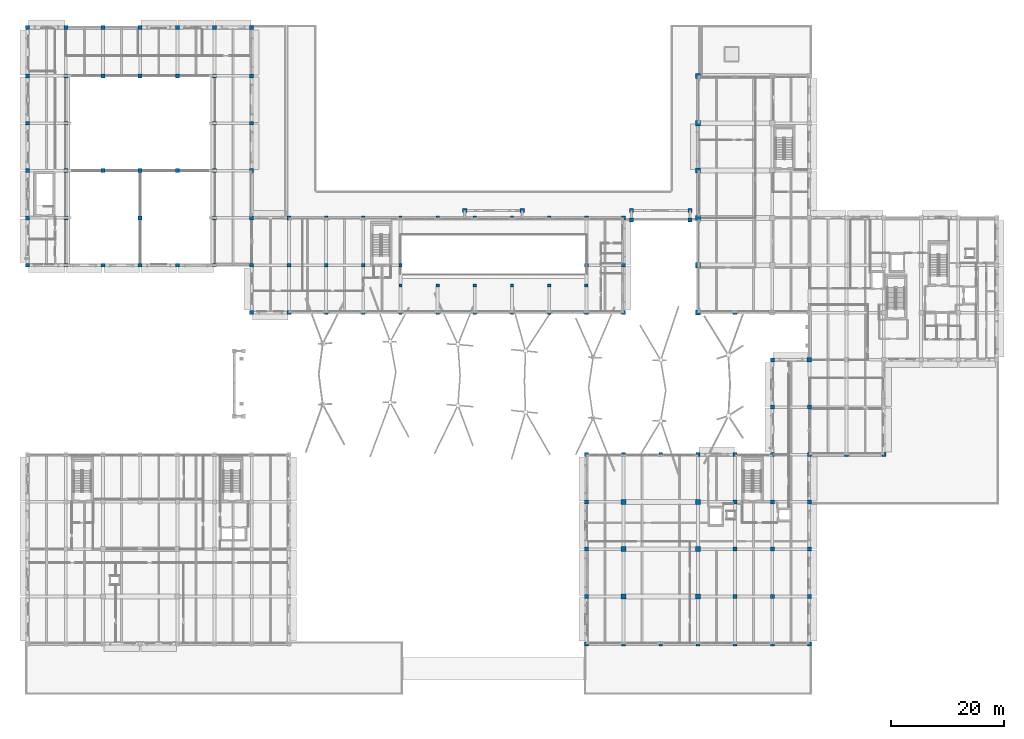
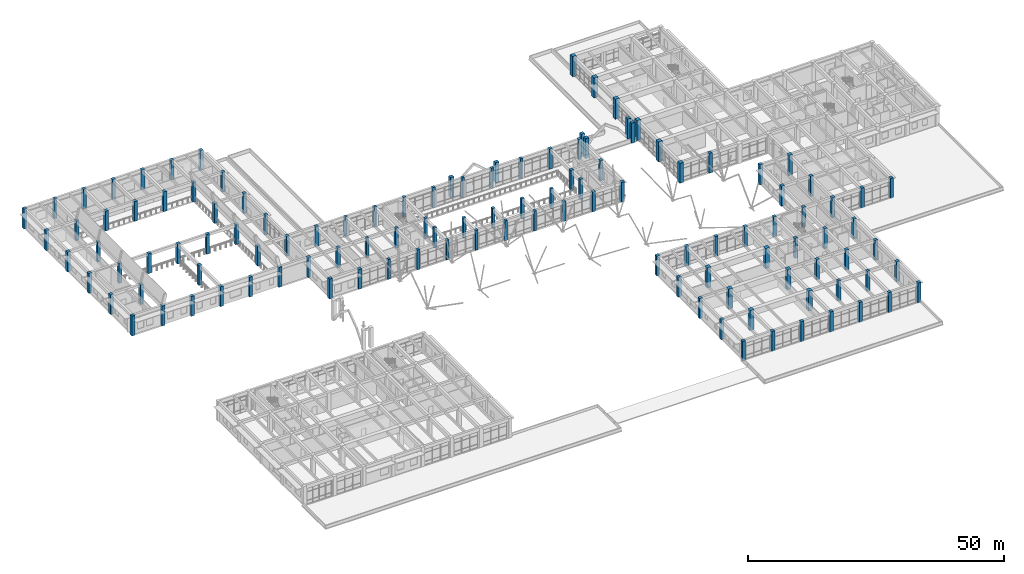
# One storey, part 3 of 75: 121 columns.
"""IFC4 building model written with IfcOpenShell, lengths in metres."""

from ifc_helpers import new_model, si_unit, direction, frame, origin, origin_2d, place, context, subcontext, project, spatial, rectangle, extrude, material, material_profile, profile_set, type_object, element, save


model = new_model("IFC4")

# Units and contexts
model_context = context("Model", 3, precision=1e-05, world=origin(), true_north=direction((0.0, 1.0)))
body_context = subcontext(model_context, "Body", "Model", "MODEL_VIEW")
ifc_project = project(units=[si_unit("LENGTHUNIT", "METRE"), si_unit("AREAUNIT", "SQUARE_METRE"), si_unit("VOLUMEUNIT", "CUBIC_METRE"), si_unit("PLANEANGLEUNIT", "RADIAN"), si_unit("MASSUNIT", "GRAM", prefix="KILO")], contexts=[model_context])

# Site, building, storey
site_placement = place(None, origin())
site = spatial("IfcSite", under=ifc_project, at=site_placement, CompositionType="ELEMENT")
building_placement = place(site_placement, origin())
building = spatial("IfcBuilding", under=site, at=building_placement, Name="Kolvaren Faculty of Natural Sciences", CompositionType="ELEMENT")
storey_placement = place(building_placement, frame((0.0, 0.0, 5.39990234375)))
storey = spatial("IfcBuildingStorey", under=building, at=storey_placement, Name="L01", CompositionType="ELEMENT", Elevation=5.39990234375)

# Columns
ifc_material_1 = material(Name="Concrete C35/45", Category="concrete")
ifc_material_profile_1 = material_profile(ifc_material_1, rectangle(XDim=0.60009765625, YDim=0.60009765625, at=origin_2d()), Name="RC COL 600x600")
ifc_profile_set_1 = profile_set([ifc_material_profile_1], Name="Concrete C35/45")
column_type_1 = type_object("IfcColumnType", Name="FrameColumn_600x600", PredefinedType="COLUMN", material=ifc_profile_set_1)
for number, where, z_axis, x_axis, name in (
    (1, (53.0, 67.39990234375, 0.0), (0.0, 0.0, 1.0), (1.0, 0.0, 0.0), "L01 column FC-60 at 9/J"),
    (2, (53.0, 75.800048828125, 0.0), (0.0, 0.0, 1.0), (1.0, 0.0, 0.0), "L01 column FC-60 at 9/K"),
    (3, (53.0, 84.199951171875, 0.0), (0.0, 0.0, 1.0), (1.0, 0.0, 0.0), "L01 column FC-60 at 9/L"),
    (4, (59.60009765625, 67.39990234375, 0.0), (0.0, 0.0, 1.0), (1.0, 0.0, 0.0), "L01 column FC-60 at 10/J"),
):
    element("IfcColumn", number, at=place(storey_placement, frame(where, z_axis=z_axis, x_axis=x_axis)), inside=storey, type_object=column_type_1, Name=name, PredefinedType="COLUMN", context=body_context, shape_type="SweptSolid", body=[
        extrude(rectangle(XDim=0.60009765625, YDim=0.60009765625, at=origin_2d()), origin(), (0.0, 0.0, 1.0), 4.739990234375),
    ])
for number, where, z_axis, x_axis, name in (
    (5, (59.60009765625, 75.800048828125, 0.0), (0.0, 0.0, 1.0), (1.0, 0.0, 0.0), "L01 column FC-60 at 10/K"),
    (6, (59.60009765625, 84.199951171875, 0.0), (0.0, 0.0, 1.0), (1.0, 0.0, 0.0), "L01 column FC-60 at 10/L"),
):
    element("IfcColumn", number, at=place(storey_placement, frame(where, z_axis=z_axis, x_axis=x_axis)), inside=storey, type_object=column_type_1, Name=name, PredefinedType="COLUMN", context=body_context, shape_type="SweptSolid", body=[
        extrude(rectangle(XDim=0.60009765625, YDim=0.60009765625, at=origin_2d()), origin(), (0.0, 0.0, 1.0), 4.800048828125),
    ])
column_1_placement = place(storey_placement, frame((66.199951171875, 67.39990234375, 0.0), z_axis=(0.0, 0.0, 1.0), x_axis=(1.0, 0.0, 0.0)))
element("IfcColumn", 7, at=column_1_placement, inside=storey, type_object=column_type_1, Name="L01 column FC-60 at 11/J", PredefinedType="COLUMN", context=body_context, shape_type="SweptSolid", body=[
    extrude(rectangle(XDim=0.60009765625, YDim=0.60009765625, at=origin_2d()), origin(), (0.0, 0.0, 1.0), 4.739990234375),
])
for number, where, z_axis, x_axis, name in (
    (8, (66.199951171875, 75.800048828125, 0.0), (0.0, 0.0, 1.0), (1.0, 0.0, 0.0), "L01 column FC-60 at 11/K"),
    (9, (66.199951171875, 84.199951171875, 0.0), (0.0, 0.0, 1.0), (1.0, 0.0, 0.0), "L01 column FC-60 at 11/L"),
):
    element("IfcColumn", number, at=place(storey_placement, frame(where, z_axis=z_axis, x_axis=x_axis)), inside=storey, type_object=column_type_1, Name=name, PredefinedType="COLUMN", context=body_context, shape_type="SweptSolid", body=[
        extrude(rectangle(XDim=0.60009765625, YDim=0.60009765625, at=origin_2d()), origin(), (0.0, 0.0, 1.0), 4.800048828125),
    ])
column_2_placement = place(storey_placement, frame((72.800048828125, 67.39990234375, 0.0), z_axis=(0.0, 0.0, 1.0), x_axis=(1.0, 0.0, 0.0)))
element("IfcColumn", 10, at=column_2_placement, inside=storey, type_object=column_type_1, Name="L01 column FC-60 at 12/J", PredefinedType="COLUMN", context=body_context, shape_type="SweptSolid", body=[
    extrude(rectangle(XDim=0.60009765625, YDim=0.60009765625, at=origin_2d()), origin(), (0.0, 0.0, 1.0), 4.739990234375),
])
column_3_placement = place(storey_placement, frame((72.800048828125, 84.199951171875, 0.0), z_axis=(0.0, 0.0, 1.0), x_axis=(1.0, 0.0, 0.0)))
element("IfcColumn", 11, at=column_3_placement, inside=storey, type_object=column_type_1, Name="L01 column FC-60 at 12/L", PredefinedType="COLUMN", context=body_context, shape_type="SweptSolid", body=[
    extrude(rectangle(XDim=0.60009765625, YDim=0.60009765625, at=origin_2d()), origin(), (0.0, 0.0, 1.0), 4.800048828125),
])
column_4_placement = place(storey_placement, frame((79.39990234375, 67.39990234375, 0.0), z_axis=(0.0, 0.0, 1.0), x_axis=(1.0, 0.0, 0.0)))
element("IfcColumn", 12, at=column_4_placement, inside=storey, type_object=column_type_1, Name="L01 column FC-60 at 13/J", PredefinedType="COLUMN", context=body_context, shape_type="SweptSolid", body=[
    extrude(rectangle(XDim=0.60009765625, YDim=0.60009765625, at=origin_2d()), origin(), (0.0, 0.0, 1.0), 4.739990234375),
])
column_5_placement = place(storey_placement, frame((79.39990234375, 84.199951171875, 0.0), z_axis=(0.0, 0.0, 1.0), x_axis=(1.0, 0.0, 0.0)))
element("IfcColumn", 13, at=column_5_placement, inside=storey, type_object=column_type_1, Name="L01 column FC-60 at 13/L", PredefinedType="COLUMN", context=body_context, shape_type="SweptSolid", body=[
    extrude(rectangle(XDim=0.60009765625, YDim=0.60009765625, at=origin_2d()), origin(), (0.0, 0.0, 1.0), 4.800048828125),
])
column_6_placement = place(storey_placement, frame((86.0, 67.39990234375, 0.0), z_axis=(0.0, 0.0, 1.0), x_axis=(1.0, 0.0, 0.0)))
element("IfcColumn", 14, at=column_6_placement, inside=storey, type_object=column_type_1, Name="L01 column FC-60 at 14/J", PredefinedType="COLUMN", context=body_context, shape_type="SweptSolid", body=[
    extrude(rectangle(XDim=0.60009765625, YDim=0.60009765625, at=origin_2d()), origin(), (0.0, 0.0, 1.0), 4.739990234375),
])
column_7_placement = place(storey_placement, frame((86.0, 84.199951171875, 0.0), z_axis=(0.0, 0.0, 1.0), x_axis=(1.0, 0.0, 0.0)))
element("IfcColumn", 15, at=column_7_placement, inside=storey, type_object=column_type_1, Name="L01 column FC-60 at 14/L", PredefinedType="COLUMN", context=body_context, shape_type="SweptSolid", body=[
    extrude(rectangle(XDim=0.60009765625, YDim=0.60009765625, at=origin_2d()), origin(), (0.0, 0.0, 1.0), 4.800048828125),
])
column_8_placement = place(storey_placement, frame((92.60009765625, 67.39990234375, 0.0), z_axis=(0.0, 0.0, 1.0), x_axis=(1.0, 0.0, 0.0)))
element("IfcColumn", 16, at=column_8_placement, inside=storey, type_object=column_type_1, Name="L01 column FC-60 at 15/J", PredefinedType="COLUMN", context=body_context, shape_type="SweptSolid", body=[
    extrude(rectangle(XDim=0.60009765625, YDim=0.60009765625, at=origin_2d()), origin(), (0.0, 0.0, 1.0), 4.739990234375),
])
for number, where, z_axis, x_axis, name in (
    (17, (92.60009765625, 84.199951171875, 0.0), (0.0, 0.0, 1.0), (1.0, 0.0, 0.0), "L01 column FC-60 at 15/L"),
    (18, (66.199951171875, 72.199951171875, 0.0), (0.0, 0.0, 1.0), (1.0, 0.0, 0.0), "L01 atrium vault springing column FC-60 at X=66.2"),
    (19, (72.800048828125, 72.199951171875, 0.0), (0.0, 0.0, 1.0), (1.0, 0.0, 0.0), "L01 atrium vault springing column FC-60 at X=72.8"),
    (20, (79.39990234375, 72.199951171875, 0.0), (0.0, 0.0, 1.0), (1.0, 0.0, 0.0), "L01 atrium vault springing column FC-60 at X=79.4"),
    (21, (86.0, 72.199951171875, 0.0), (0.0, 0.0, 1.0), (1.0, 0.0, 0.0), "L01 atrium vault springing column FC-60 at X=86.0"),
    (22, (92.60009765625, 72.199951171875, 0.0), (0.0, 0.0, 1.0), (1.0, 0.0, 0.0), "L01 atrium vault springing column FC-60 at X=92.6"),
    (23, (99.199951171875, 72.199951171875, 0.0), (0.0, 0.0, 1.0), (1.0, 0.0, 0.0), "L01 atrium vault springing column FC-60 at X=99.2"),
):
    element("IfcColumn", number, at=place(storey_placement, frame(where, z_axis=z_axis, x_axis=x_axis)), inside=storey, type_object=column_type_1, Name=name, PredefinedType="COLUMN", context=body_context, shape_type="SweptSolid", body=[
        extrude(rectangle(XDim=0.60009765625, YDim=0.60009765625, at=origin_2d()), origin(), (0.0, 0.0, 1.0), 4.800048828125),
    ])
ifc_material_2 = material(Name="Concrete C40/50", Category="concrete")
ifc_material_profile_2 = material_profile(ifc_material_2, rectangle(XDim=0.89990234375, YDim=0.89990234375, at=origin_2d()), Name="RC COL 900x900")
ifc_profile_set_2 = profile_set([ifc_material_profile_2], Name="Concrete C40/50")
column_type_2 = type_object("IfcColumnType", Name="MegaColumn_900x900", PredefinedType="COLUMN", material=ifc_profile_set_2)
for number, where, z_axis, x_axis, name in (
    (24, (105.800048828125, 17.0, 0.0), (0.0, 0.0, 1.0), (1.0, 0.0, 0.0), "L01 column MC-1 at 17/C"),
    (25, (105.800048828125, 25.39990234375, 0.0), (0.0, 0.0, 1.0), (1.0, 0.0, 0.0), "L01 column MC-1 at 17/D"),
    (26, (105.800048828125, 33.800048828125, 0.0), (0.0, 0.0, 1.0), (1.0, 0.0, 0.0), "L01 column MC-1 at 17/E"),
    (27, (119.0, 17.0, 0.0), (0.0, 0.0, 1.0), (1.0, 0.0, 0.0), "L01 column MC-1 at 19/C"),
    (28, (119.0, 25.39990234375, 0.0), (0.0, 0.0, 1.0), (1.0, 0.0, 0.0), "L01 column MC-1 at 19/D"),
    (29, (119.0, 33.800048828125, 0.0), (0.0, 0.0, 1.0), (1.0, 0.0, 0.0), "L01 column MC-1 at 19/E"),
):
    element("IfcColumn", number, at=place(storey_placement, frame(where, z_axis=z_axis, x_axis=x_axis)), inside=storey, type_object=column_type_2, Name=name, PredefinedType="COLUMN", context=body_context, shape_type="SweptSolid", body=[
        extrude(rectangle(XDim=0.89990234375, YDim=0.89990234375, at=origin_2d()), origin(), (0.0, 0.0, 1.0), 4.800048828125),
    ])
column_9_placement = place(storey_placement, frame((119.0, 67.39990234375, 0.0), z_axis=(0.0, 0.0, 1.0), x_axis=(1.0, 0.0, 0.0)))
element("IfcColumn", 30, at=column_9_placement, inside=storey, type_object=column_type_2, Name="L01 column MC-1 at 19/J", PredefinedType="COLUMN", context=body_context, shape_type="SweptSolid", body=[
    extrude(rectangle(XDim=0.89990234375, YDim=0.89990234375, at=origin_2d()), origin(), (0.0, 0.0, 1.0), 4.739990234375),
])
for number, where, z_axis, x_axis, name in (
    (31, (119.0, 75.800048828125, 0.0), (0.0, 0.0, 1.0), (1.0, 0.0, 0.0), "L01 column MC-1 at 19/K"),
    (32, (119.0, 84.199951171875, 0.0), (0.0, 0.0, 1.0), (1.0, 0.0, 0.0), "L01 column MC-1 at 19/L"),
    (33, (119.0, 92.60009765625, 0.0), (0.0, 0.0, 1.0), (1.0, 0.0, 0.0), "L01 column MC-1 at 19/M"),
    (34, (119.0, 101.0, 0.0), (0.0, 0.0, 1.0), (1.0, 0.0, 0.0), "L01 column MC-1 at 19/N"),
    (35, (119.0, 109.39990234375, 0.0), (0.0, 0.0, 1.0), (1.0, 0.0, 0.0), "L01 column MC-1 at 19/P"),
):
    element("IfcColumn", number, at=place(storey_placement, frame(where, z_axis=z_axis, x_axis=x_axis)), inside=storey, type_object=column_type_2, Name=name, PredefinedType="COLUMN", context=body_context, shape_type="SweptSolid", body=[
        extrude(rectangle(XDim=0.89990234375, YDim=0.89990234375, at=origin_2d()), origin(), (0.0, 0.0, 1.0), 4.800048828125),
    ])
ifc_material_profile_3 = material_profile(ifc_material_2, rectangle(XDim=0.75, YDim=0.75, at=origin_2d()), Name="RC COL 750x750")
ifc_profile_set_3 = profile_set([ifc_material_profile_3], Name="Concrete C40/50")
column_type_3 = type_object("IfcColumnType", Name="TowerColumn_750x750", PredefinedType="COLUMN", material=ifc_profile_set_3)
for number, where, z_axis, x_axis, name in (
    (36, (77.60009765625, 85.5, 0.0), (0.0, 0.0, 1.0), (1.0, 0.0, 0.0), "North Civic Square Grand Atrium Pishtaq Portal monumental pier L (L01)"),
    (37, (87.800048828125, 85.5, 0.0), (0.0, 0.0, 1.0), (1.0, 0.0, 0.0), "North Civic Square Grand Atrium Pishtaq Portal monumental pier R (L01)"),
    (38, (107.199951171875, 85.5, 0.0), (0.0, 0.0, 1.0), (1.0, 0.0, 0.0), "North-East Square-to-Street Breezeway Pishtaq Portal monumental pier L (L01)"),
    (39, (117.60009765625, 85.5, 0.0), (0.0, 0.0, 1.0), (1.0, 0.0, 0.0), "North-East Square-to-Street Breezeway Pishtaq Portal monumental pier R (L01)"),
    (40, (107.199951171875, 83.85009765625, 0.0), (0.0, 0.0, 1.0), (1.0, 0.0, 0.0), "North-East Square-to-Street Breezeway Pishtaq Portal monumental pier LB (L01)"),
    (41, (117.60009765625, 83.85009765625, 0.0), (0.0, 0.0, 1.0), (1.0, 0.0, 0.0), "North-East Square-to-Street Breezeway Pishtaq Portal monumental pier RB (L01)"),
):
    element("IfcColumn", number, at=place(storey_placement, frame(where, z_axis=z_axis, x_axis=x_axis)), inside=storey, type_object=column_type_3, Name=name, PredefinedType="COLUMN", context=body_context, shape_type="SweptSolid", body=[
        extrude(rectangle(XDim=0.75, YDim=0.75, at=origin_2d()), origin(), (0.0, 0.0, 1.0), 4.800048828125),
    ])
ifc_material_profile_4 = material_profile(ifc_material_2, rectangle(XDim=0.800048828125, YDim=0.800048828125, at=origin_2d()), Name="RC COL 800x800")
ifc_profile_set_4 = profile_set([ifc_material_profile_4], Name="Concrete C40/50")
column_type_4 = type_object("IfcColumnType", Name="TowerColumn_800x800", PredefinedType="COLUMN", material=ifc_profile_set_4)
column_10_placement = place(storey_placement, frame((138.800048828125, 59.0, 0.0), z_axis=(0.0, 0.0, 1.0), x_axis=(1.0, 0.0, 0.0)))
element("IfcColumn", 42, at=column_10_placement, inside=storey, type_object=column_type_4, Name="L01 column TC-80 at 22/H", PredefinedType="COLUMN", context=body_context, shape_type="SweptSolid", body=[
    extrude(rectangle(XDim=0.800048828125, YDim=0.800048828125, at=origin_2d()), origin(), (0.0, 0.0, 1.0), 4.800048828125),
])
ifc_material_profile_5 = material_profile(ifc_material_2, rectangle(XDim=0.699951171875, YDim=0.699951171875, at=origin_2d()), Name="RC COL 700x700")
ifc_profile_set_5 = profile_set([ifc_material_profile_5], Name="Concrete C40/50")
column_type_5 = type_object("IfcColumnType", Name="WingColumn_700x700", PredefinedType="COLUMN", material=ifc_profile_set_5)
for number, where, z_axis, x_axis, name in (
    (43, (0.0, 75.800048828125, 0.0), (0.0, 0.0, 1.0), (1.0, 0.0, 0.0), "L01 column WC-70 at 1/K"),
    (44, (0.0, 84.199951171875, 0.0), (0.0, 0.0, 1.0), (1.0, 0.0, 0.0), "L01 column WC-70 at 1/L"),
    (45, (0.0, 92.60009765625, 0.0), (0.0, 0.0, 1.0), (1.0, 0.0, 0.0), "L01 column WC-70 at 1/M"),
    (46, (0.0, 101.0, 0.0), (0.0, 0.0, 1.0), (1.0, 0.0, 0.0), "L01 column WC-70 at 1/N"),
    (47, (0.0, 109.39990234375, 0.0), (0.0, 0.0, 1.0), (1.0, 0.0, 0.0), "L01 column WC-70 at 1/P"),
    (48, (0.0, 118.0, 0.0), (0.0, 0.0, 1.0), (1.0, 0.0, 0.0), "L01 column WC-70 at 1/Q"),
    (49, (6.800048828125, 75.800048828125, 0.0), (0.0, 0.0, 1.0), (1.0, 0.0, 0.0), "L01 column WC-70 at 2/K"),
    (50, (6.800048828125, 84.199951171875, 0.0), (0.0, 0.0, 1.0), (1.0, 0.0, 0.0), "L01 column WC-70 at 2/L"),
    (51, (6.800048828125, 92.60009765625, 0.0), (0.0, 0.0, 1.0), (1.0, 0.0, 0.0), "L01 column WC-70 at 2/M"),
    (52, (6.800048828125, 101.0, 0.0), (0.0, 0.0, 1.0), (1.0, 0.0, 0.0), "L01 column WC-70 at 2/N"),
    (53, (6.800048828125, 109.39990234375, 0.0), (0.0, 0.0, 1.0), (1.0, 0.0, 0.0), "L01 column WC-70 at 2/P"),
    (54, (6.800048828125, 118.0, 0.0), (0.0, 0.0, 1.0), (1.0, 0.0, 0.0), "L01 column WC-70 at 2/Q"),
    (55, (13.39990234375, 75.800048828125, 0.0), (0.0, 0.0, 1.0), (1.0, 0.0, 0.0), "L01 column WC-70 at 3/K"),
    (56, (13.39990234375, 92.60009765625, 0.0), (0.0, 0.0, 1.0), (1.0, 0.0, 0.0), "L01 column WC-70 at 3/M"),
    (57, (13.39990234375, 109.39990234375, 0.0), (0.0, 0.0, 1.0), (1.0, 0.0, 0.0), "L01 column WC-70 at 3/P"),
    (58, (13.39990234375, 118.0, 0.0), (0.0, 0.0, 1.0), (1.0, 0.0, 0.0), "L01 column WC-70 at 3/Q"),
    (59, (20.0, 75.800048828125, 0.0), (0.0, 0.0, 1.0), (1.0, 0.0, 0.0), "L01 column WC-70 at 4/K"),
    (60, (20.0, 84.199951171875, 0.0), (0.0, 0.0, 1.0), (1.0, 0.0, 0.0), "L01 column WC-70 at 4/L"),
    (61, (20.0, 92.60009765625, 0.0), (0.0, 0.0, 1.0), (1.0, 0.0, 0.0), "L01 column WC-70 at 4/M"),
    (62, (20.0, 109.39990234375, 0.0), (0.0, 0.0, 1.0), (1.0, 0.0, 0.0), "L01 column WC-70 at 4/P"),
    (63, (20.0, 118.0, 0.0), (0.0, 0.0, 1.0), (1.0, 0.0, 0.0), "L01 column WC-70 at 4/Q"),
    (64, (26.60009765625, 75.800048828125, 0.0), (0.0, 0.0, 1.0), (1.0, 0.0, 0.0), "L01 column WC-70 at 5/K"),
    (65, (26.60009765625, 92.60009765625, 0.0), (0.0, 0.0, 1.0), (1.0, 0.0, 0.0), "L01 column WC-70 at 5/M"),
    (66, (26.60009765625, 109.39990234375, 0.0), (0.0, 0.0, 1.0), (1.0, 0.0, 0.0), "L01 column WC-70 at 5/P"),
    (67, (26.60009765625, 118.0, 0.0), (0.0, 0.0, 1.0), (1.0, 0.0, 0.0), "L01 column WC-70 at 5/Q"),
    (68, (33.199951171875, 75.800048828125, 0.0), (0.0, 0.0, 1.0), (1.0, 0.0, 0.0), "L01 column WC-70 at 6/K"),
    (69, (33.199951171875, 84.199951171875, 0.0), (0.0, 0.0, 1.0), (1.0, 0.0, 0.0), "L01 column WC-70 at 6/L"),
    (70, (33.199951171875, 92.60009765625, 0.0), (0.0, 0.0, 1.0), (1.0, 0.0, 0.0), "L01 column WC-70 at 6/M"),
    (71, (33.199951171875, 101.0, 0.0), (0.0, 0.0, 1.0), (1.0, 0.0, 0.0), "L01 column WC-70 at 6/N"),
    (72, (33.199951171875, 109.39990234375, 0.0), (0.0, 0.0, 1.0), (1.0, 0.0, 0.0), "L01 column WC-70 at 6/P"),
    (73, (33.199951171875, 118.0, 0.0), (0.0, 0.0, 1.0), (1.0, 0.0, 0.0), "L01 column WC-70 at 6/Q"),
    (74, (39.800048828125, 67.39990234375, 0.0), (0.0, 0.0, 1.0), (1.0, 0.0, 0.0), "L01 column WC-70 at 7/J"),
    (75, (39.800048828125, 75.800048828125, 0.0), (0.0, 0.0, 1.0), (1.0, 0.0, 0.0), "L01 column WC-70 at 7/K"),
    (76, (39.800048828125, 84.199951171875, 0.0), (0.0, 0.0, 1.0), (1.0, 0.0, 0.0), "L01 column WC-70 at 7/L"),
    (77, (39.800048828125, 92.60009765625, 0.0), (0.0, 0.0, 1.0), (1.0, 0.0, 0.0), "L01 column WC-70 at 7/M"),
    (78, (39.800048828125, 101.0, 0.0), (0.0, 0.0, 1.0), (1.0, 0.0, 0.0), "L01 column WC-70 at 7/N"),
    (79, (39.800048828125, 109.39990234375, 0.0), (0.0, 0.0, 1.0), (1.0, 0.0, 0.0), "L01 column WC-70 at 7/P"),
    (80, (39.800048828125, 118.0, 0.0), (0.0, 0.0, 1.0), (1.0, 0.0, 0.0), "L01 column WC-70 at 7/Q"),
    (81, (46.39990234375, 67.39990234375, 0.0), (0.0, 0.0, 1.0), (1.0, 0.0, 0.0), "L01 column WC-70 at 8/J"),
    (82, (46.39990234375, 75.800048828125, 0.0), (0.0, 0.0, 1.0), (1.0, 0.0, 0.0), "L01 column WC-70 at 8/K"),
    (83, (46.39990234375, 84.199951171875, 0.0), (0.0, 0.0, 1.0), (1.0, 0.0, 0.0), "L01 column WC-70 at 8/L"),
    (84, (99.199951171875, 8.60009765625, 0.0), (0.0, 0.0, 1.0), (1.0, 0.0, 0.0), "L01 column WC-70 at 16/B"),
    (85, (99.199951171875, 17.0, 0.0), (0.0, 0.0, 1.0), (1.0, 0.0, 0.0), "L01 column WC-70 at 16/C"),
    (86, (99.199951171875, 25.39990234375, 0.0), (0.0, 0.0, 1.0), (1.0, 0.0, 0.0), "L01 column WC-70 at 16/D"),
    (87, (99.199951171875, 33.800048828125, 0.0), (0.0, 0.0, 1.0), (1.0, 0.0, 0.0), "L01 column WC-70 at 16/E"),
    (88, (99.199951171875, 42.199951171875, 0.0), (0.0, 0.0, 1.0), (1.0, 0.0, 0.0), "L01 column WC-70 at 16/F"),
    (89, (99.199951171875, 67.39990234375, 0.0), (0.0, 0.0, 1.0), (1.0, 0.0, 0.0), "L01 column WC-70 at 16/J"),
):
    element("IfcColumn", number, at=place(storey_placement, frame(where, z_axis=z_axis, x_axis=x_axis)), inside=storey, type_object=column_type_5, Name=name, PredefinedType="COLUMN", context=body_context, shape_type="SweptSolid", body=[
        extrude(rectangle(XDim=0.699951171875, YDim=0.699951171875, at=origin_2d()), origin(), (0.0, 0.0, 1.0), 4.739990234375),
    ])
for number, where, z_axis, x_axis, name in (
    (90, (99.199951171875, 75.800048828125, 0.0), (0.0, 0.0, 1.0), (1.0, 0.0, 0.0), "L01 column WC-70 at 16/K"),
    (91, (99.199951171875, 84.199951171875, 0.0), (0.0, 0.0, 1.0), (1.0, 0.0, 0.0), "L01 column WC-70 at 16/L"),
    (92, (105.800048828125, 8.60009765625, 0.0), (0.0, 0.0, 1.0), (1.0, 0.0, 0.0), "L01 column WC-70 at 17/B"),
):
    element("IfcColumn", number, at=place(storey_placement, frame(where, z_axis=z_axis, x_axis=x_axis)), inside=storey, type_object=column_type_5, Name=name, PredefinedType="COLUMN", context=body_context, shape_type="SweptSolid", body=[
        extrude(rectangle(XDim=0.699951171875, YDim=0.699951171875, at=origin_2d()), origin(), (0.0, 0.0, 1.0), 4.800048828125),
    ])
for number, where, z_axis, x_axis, name in (
    (93, (105.800048828125, 42.199951171875, 0.0), (0.0, 0.0, 1.0), (1.0, 0.0, 0.0), "L01 column WC-70 at 17/F"),
    (94, (105.800048828125, 67.39990234375, 0.0), (0.0, 0.0, 1.0), (1.0, 0.0, 0.0), "L01 column WC-70 at 17/J"),
):
    element("IfcColumn", number, at=place(storey_placement, frame(where, z_axis=z_axis, x_axis=x_axis)), inside=storey, type_object=column_type_5, Name=name, PredefinedType="COLUMN", context=body_context, shape_type="SweptSolid", body=[
        extrude(rectangle(XDim=0.699951171875, YDim=0.699951171875, at=origin_2d()), origin(), (0.0, 0.0, 1.0), 4.739990234375),
    ])
for number, where, z_axis, x_axis, name in (
    (95, (105.800048828125, 75.800048828125, 0.0), (0.0, 0.0, 1.0), (1.0, 0.0, 0.0), "L01 column WC-70 at 17/K"),
    (96, (105.800048828125, 84.199951171875, 0.0), (0.0, 0.0, 1.0), (1.0, 0.0, 0.0), "L01 column WC-70 at 17/L"),
    (97, (112.39990234375, 8.60009765625, 0.0), (0.0, 0.0, 1.0), (1.0, 0.0, 0.0), "L01 column WC-70 at 18/B"),
):
    element("IfcColumn", number, at=place(storey_placement, frame(where, z_axis=z_axis, x_axis=x_axis)), inside=storey, type_object=column_type_5, Name=name, PredefinedType="COLUMN", context=body_context, shape_type="SweptSolid", body=[
        extrude(rectangle(XDim=0.699951171875, YDim=0.699951171875, at=origin_2d()), origin(), (0.0, 0.0, 1.0), 4.800048828125),
    ])
column_11_placement = place(storey_placement, frame((112.39990234375, 42.199951171875, 0.0), z_axis=(0.0, 0.0, 1.0), x_axis=(1.0, 0.0, 0.0)))
element("IfcColumn", 98, at=column_11_placement, inside=storey, type_object=column_type_5, Name="L01 column WC-70 at 18/F", PredefinedType="COLUMN", context=body_context, shape_type="SweptSolid", body=[
    extrude(rectangle(XDim=0.699951171875, YDim=0.699951171875, at=origin_2d()), origin(), (0.0, 0.0, 1.0), 4.739990234375),
])
column_12_placement = place(storey_placement, frame((119.0, 8.60009765625, 0.0), z_axis=(0.0, 0.0, 1.0), x_axis=(1.0, 0.0, 0.0)))
element("IfcColumn", 99, at=column_12_placement, inside=storey, type_object=column_type_5, Name="L01 column WC-70 at 19/B", PredefinedType="COLUMN", context=body_context, shape_type="SweptSolid", body=[
    extrude(rectangle(XDim=0.699951171875, YDim=0.699951171875, at=origin_2d()), origin(), (0.0, 0.0, 1.0), 4.800048828125),
])
column_13_placement = place(storey_placement, frame((119.0, 42.199951171875, 0.0), z_axis=(0.0, 0.0, 1.0), x_axis=(1.0, 0.0, 0.0)))
element("IfcColumn", 100, at=column_13_placement, inside=storey, type_object=column_type_5, Name="L01 column WC-70 at 19/F", PredefinedType="COLUMN", context=body_context, shape_type="SweptSolid", body=[
    extrude(rectangle(XDim=0.699951171875, YDim=0.699951171875, at=origin_2d()), origin(), (0.0, 0.0, 1.0), 4.739990234375),
])
for number, where, z_axis, x_axis, name in (
    (101, (125.60009765625, 8.60009765625, 0.0), (0.0, 0.0, 1.0), (1.0, 0.0, 0.0), "L01 column WC-70 at 20/B"),
    (102, (125.60009765625, 17.0, 0.0), (0.0, 0.0, 1.0), (1.0, 0.0, 0.0), "L01 column WC-70 at 20/C"),
    (103, (125.60009765625, 25.39990234375, 0.0), (0.0, 0.0, 1.0), (1.0, 0.0, 0.0), "L01 column WC-70 at 20/D"),
    (104, (125.60009765625, 33.800048828125, 0.0), (0.0, 0.0, 1.0), (1.0, 0.0, 0.0), "L01 column WC-70 at 20/E"),
    (105, (125.60009765625, 42.199951171875, 0.0), (0.0, 0.0, 1.0), (1.0, 0.0, 0.0), "L01 column WC-70 at 20/F"),
):
    element("IfcColumn", number, at=place(storey_placement, frame(where, z_axis=z_axis, x_axis=x_axis)), inside=storey, type_object=column_type_5, Name=name, PredefinedType="COLUMN", context=body_context, shape_type="SweptSolid", body=[
        extrude(rectangle(XDim=0.699951171875, YDim=0.699951171875, at=origin_2d()), origin(), (0.0, 0.0, 1.0), 4.800048828125),
    ])
column_14_placement = place(storey_placement, frame((125.60009765625, 67.39990234375, 0.0), z_axis=(0.0, 0.0, 1.0), x_axis=(1.0, 0.0, 0.0)))
element("IfcColumn", 106, at=column_14_placement, inside=storey, type_object=column_type_5, Name="L01 column WC-70 at 20/J", PredefinedType="COLUMN", context=body_context, shape_type="SweptSolid", body=[
    extrude(rectangle(XDim=0.699951171875, YDim=0.699951171875, at=origin_2d()), origin(), (0.0, 0.0, 1.0), 4.739990234375),
])
for number, where, z_axis, x_axis, name in (
    (107, (132.199951171875, 8.60009765625, 0.0), (0.0, 0.0, 1.0), (1.0, 0.0, 0.0), "L01 column WC-70 at 21/B"),
    (108, (132.199951171875, 17.0, 0.0), (0.0, 0.0, 1.0), (1.0, 0.0, 0.0), "L01 column WC-70 at 21/C"),
    (109, (132.199951171875, 25.39990234375, 0.0), (0.0, 0.0, 1.0), (1.0, 0.0, 0.0), "L01 column WC-70 at 21/D"),
    (110, (132.199951171875, 33.800048828125, 0.0), (0.0, 0.0, 1.0), (1.0, 0.0, 0.0), "L01 column WC-70 at 21/E"),
    (111, (132.199951171875, 42.199951171875, 0.0), (0.0, 0.0, 1.0), (1.0, 0.0, 0.0), "L01 column WC-70 at 21/F"),
    (112, (132.199951171875, 50.60009765625, 0.0), (0.0, 0.0, 1.0), (1.0, 0.0, 0.0), "L01 column WC-70 at 21/G"),
    (113, (132.199951171875, 59.0, 0.0), (0.0, 0.0, 1.0), (1.0, 0.0, 0.0), "L01 column WC-70 at 21/H"),
    (114, (138.800048828125, 8.60009765625, 0.0), (0.0, 0.0, 1.0), (1.0, 0.0, 0.0), "L01 column WC-70 at 22/B"),
    (115, (138.800048828125, 17.0, 0.0), (0.0, 0.0, 1.0), (1.0, 0.0, 0.0), "L01 column WC-70 at 22/C"),
    (116, (138.800048828125, 25.39990234375, 0.0), (0.0, 0.0, 1.0), (1.0, 0.0, 0.0), "L01 column WC-70 at 22/D"),
    (117, (138.800048828125, 33.800048828125, 0.0), (0.0, 0.0, 1.0), (1.0, 0.0, 0.0), "L01 column WC-70 at 22/E"),
    (118, (138.800048828125, 42.199951171875, 0.0), (0.0, 0.0, 1.0), (1.0, 0.0, 0.0), "L01 column WC-70 at 22/F"),
    (119, (138.800048828125, 50.60009765625, 0.0), (0.0, 0.0, 1.0), (1.0, 0.0, 0.0), "L01 column WC-70 at 22/G"),
    (120, (145.39990234375, 42.199951171875, 0.0), (0.0, 0.0, 1.0), (1.0, 0.0, 0.0), "L01 column WC-70 at 23/F"),
    (121, (152.0, 42.199951171875, 0.0), (0.0, 0.0, 1.0), (1.0, 0.0, 0.0), "L01 column WC-70 at 24/F"),
):
    element("IfcColumn", number, at=place(storey_placement, frame(where, z_axis=z_axis, x_axis=x_axis)), inside=storey, type_object=column_type_5, Name=name, PredefinedType="COLUMN", context=body_context, shape_type="SweptSolid", body=[
        extrude(rectangle(XDim=0.699951171875, YDim=0.699951171875, at=origin_2d()), origin(), (0.0, 0.0, 1.0), 4.800048828125),
    ])

save(model, "model.ifc")
